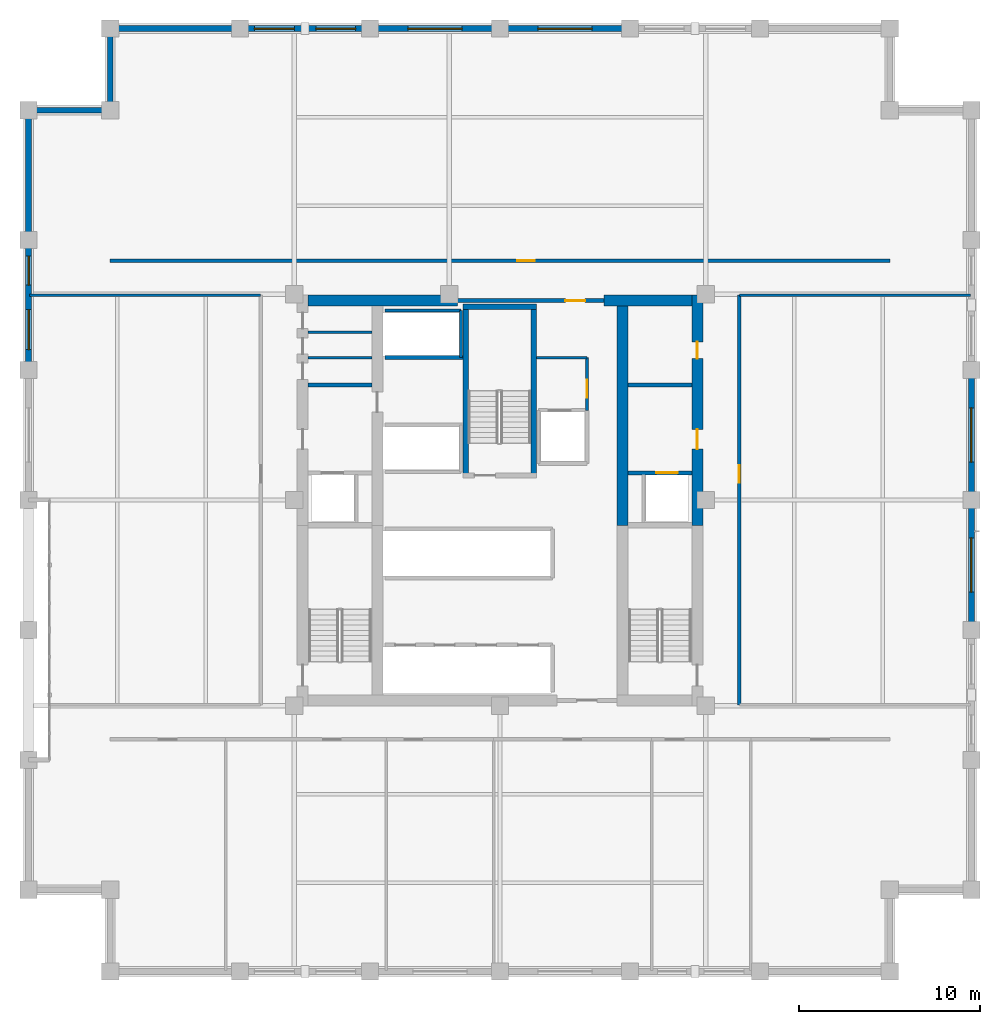
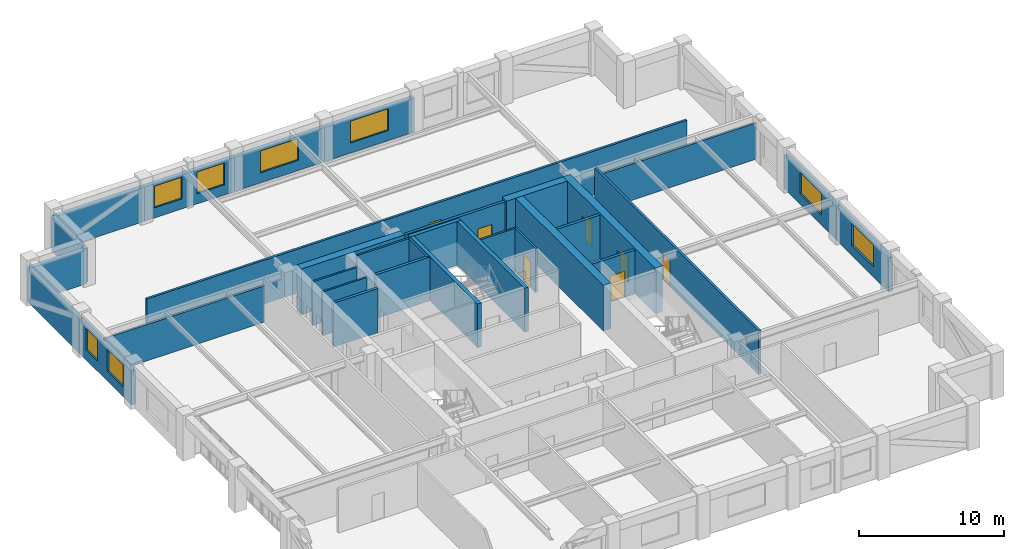
# One storey, part 9 of 12: 32 walls, 8 windows, 7 doors, 15 openings.
"""IFC4 building model written with IfcOpenShell, lengths in metres."""

from ifc_helpers import new_model, si_unit, direction, frame, frame_2d, origin, place, context, subcontext, project, spatial, rectangle, extrude, material, layer, layer_set, type_object, element, fill, save


model = new_model("IFC4")

# Units and contexts
model_context = context("Model", 3, precision=1e-05, world=origin(), true_north=direction((0.0, 1.0)))
body_context = subcontext(model_context, "Body", "Model", "MODEL_VIEW")
ifc_project = project(units=[si_unit("LENGTHUNIT", "METRE"), si_unit("AREAUNIT", "SQUARE_METRE"), si_unit("VOLUMEUNIT", "CUBIC_METRE"), si_unit("PLANEANGLEUNIT", "RADIAN"), si_unit("MASSUNIT", "GRAM", prefix="KILO")], contexts=[model_context])

# Site, building, storey
site_placement = place(None, origin())
site = spatial("IfcSite", under=ifc_project, at=site_placement, CompositionType="ELEMENT")
building_placement = place(site_placement, origin())
building = spatial("IfcBuilding", under=site, at=building_placement, Name="Nhamokura Convention Tower", CompositionType="ELEMENT")
storey_placement = place(building_placement, frame((0.0, 0.0, 164.5)))
storey = spatial("IfcBuildingStorey", under=building, at=storey_placement, Name="L40", CompositionType="ELEMENT", Elevation=164.5)

# Walls
ifc_material_1 = material(Name="Moisture-resistant tile-backer partition", Category="masonry")
ifc_layer_1 = layer(ifc_material_1, 0.139892578125)
ifc_layer_set_1 = layer_set([ifc_layer_1], Name="BathroomWetWall_140")
wall_type_1 = type_object("IfcWallType", Name="BathroomWetWall_140", PredefinedType="STANDARD", material=ifc_layer_set_1)
wall_1_placement = place(storey_placement, frame((21.409912109375, 39.85009765625, 0.0), z_axis=(0.0, 0.0, 1.0), x_axis=(1.0, 0.0, 0.0)))
element("IfcWall", 1, at=wall_1_placement, inside=storey, type_object=wall_type_1, Name="L40 Wall INT-L40-CWNW1", PredefinedType="STANDARD", context=body_context, shape_type="SweptSolid", body=[
    extrude(rectangle(XDim=3.530029296875, YDim=0.139892578125, at=frame_2d((1.76513671875, 0.0))), origin(), (0.0, 0.0, 1.0), 3.68505859375),
])
ifc_material_2 = material(Name="Bronze-pigmented precast concrete C45/55", Category="concrete")
ifc_layer_2 = layer(ifc_material_2, 0.320068359375)
ifc_layer_set_2 = layer_set([ifc_layer_2], Name="BronzePrecastSpandrel_320")
wall_type_2 = type_object("IfcWallType", Name="BronzePrecastSpandrel_320", PredefinedType="USERDEFINED", material=ifc_layer_set_2)
wall_2_placement = place(storey_placement, frame((10.5, 58.0, 0.0), z_axis=(0.0, 0.0, 1.0), x_axis=(1.0, 0.0, 0.0)))
element("IfcWall", 2, at=wall_2_placement, inside=storey, type_object=wall_type_2, Name="L40 Braced-Bay Precast Wall NORTH 0", ObjectType="SPANDREL_WALL", PredefinedType="USERDEFINED", context=body_context, shape_type="SweptSolid", body=[
    extrude(rectangle(XDim=7.166748046875, YDim=0.320068359375, at=frame_2d((3.58349609375, 0.0))), origin(), (0.0, 0.0, 1.0), 2.885009765625),
])

# Wall, openings, windows
wall_3_placement = place(storey_placement, frame((17.666748046875, 58.0, 0.0), z_axis=(0.0, 0.0, 1.0), x_axis=(1.0, 0.0, 0.0)))
wall_3 = element("IfcWall", 3, at=wall_3_placement, inside=storey, type_object=wall_type_2, Name="L40 Masonry-Frame Wall NORTH 1", ObjectType="SPANDREL_WALL", PredefinedType="USERDEFINED", context=body_context, shape_type="SweptSolid", body=[
    extrude(rectangle(XDim=7.16650390625, YDim=0.320068359375, at=frame_2d((3.583251953125, 0.0))), origin(), (0.0, 0.0, 1.0), 2.885009765625),
])
opening_1_placement = place(wall_3_placement, frame((0.791748046875, 0.0, 0.85009765625)))
opening_1 = element("IfcOpeningElement", 4, at=opening_1_placement, cuts=wall_3, Name="Opening W-06", PredefinedType="OPENING", context=body_context, shape_type="SweptSolid", body=[
    extrude(rectangle(XDim=2.199951171875, YDim=1.8349609375, at=frame_2d((1.10009765625, 0.91748046875))), frame((0.0, 0.169921875, 0.0), z_axis=(0.0, -1.0, 0.0), x_axis=(1.0, 0.0, 0.0)), (0.0, 0.0, 1.0), 0.340087890625),
])
opening_2_placement = place(wall_3_placement, frame((4.175048828125, 0.0, 0.85009765625)))
opening_2 = element("IfcOpeningElement", 5, at=opening_2_placement, cuts=wall_3, Name="Opening W-06", PredefinedType="OPENING", context=body_context, shape_type="SweptSolid", body=[
    extrude(rectangle(XDim=2.199951171875, YDim=1.8349609375, at=frame_2d((1.10009765625, 0.91748046875))), frame((0.0, 0.169921875, 0.0), z_axis=(0.0, -1.0, 0.0), x_axis=(1.0, 0.0, 0.0)), (0.0, 0.0, 1.0), 0.340087890625),
])
ifc_material_3 = material(Name="Solar-control bronze low-E double glass", Category="glass")
window_type_1 = type_object("IfcWindowType", Name="OfficeModuleWindow_Z2_2200", PartitioningType="SINGLE_PANEL", PredefinedType="WINDOW", material=ifc_material_3)
window_1_placement = place(opening_1_placement, origin())
window_1 = element("IfcWindow", 6, at=window_1_placement, inside=storey, type_object=window_type_1, Name="L40 Facade Window NORTH 1-1", OverallHeight=1.8349609375, OverallWidth=2.199951171875, PartitioningType="SINGLE_PANEL", PredefinedType="WINDOW", context=body_context, shape_type="SweptSolid", body=[
    extrude(rectangle(XDim=2.199951171875, YDim=1.8349609375, at=frame_2d((1.10009765625, 0.91748046875))), frame((0.0, 0.030029296875, 0.0), z_axis=(0.0, -1.0, 0.0), x_axis=(1.0, 0.0, 0.0)), (0.0, 0.0, 1.0), 0.06005859375),
])
fill(opening_1, window_1)
window_2_placement = place(opening_2_placement, origin())
window_2 = element("IfcWindow", 7, at=window_2_placement, inside=storey, type_object=window_type_1, Name="L40 Facade Window NORTH 1-2", OverallHeight=1.8349609375, OverallWidth=2.199951171875, PartitioningType="SINGLE_PANEL", PredefinedType="WINDOW", context=body_context, shape_type="SweptSolid", body=[
    extrude(rectangle(XDim=2.199951171875, YDim=1.8349609375, at=frame_2d((1.10009765625, 0.91748046875))), frame((0.0, 0.030029296875, 0.0), z_axis=(0.0, -1.0, 0.0), x_axis=(1.0, 0.0, 0.0)), (0.0, 0.0, 1.0), 0.06005859375),
])
fill(opening_2, window_2)

# Wall, opening, window
wall_4_placement = place(storey_placement, frame((24.833251953125, 58.0, 0.0), z_axis=(0.0, 0.0, 1.0), x_axis=(1.0, 0.0, 0.0)))
wall_4 = element("IfcWall", 8, at=wall_4_placement, inside=storey, type_object=wall_type_2, Name="L40 Masonry-Frame Wall NORTH 2", ObjectType="SPANDREL_WALL", PredefinedType="USERDEFINED", context=body_context, shape_type="SweptSolid", body=[
    extrude(rectangle(XDim=7.166748046875, YDim=0.320068359375, at=frame_2d((3.58349609375, 0.0))), origin(), (0.0, 0.0, 1.0), 2.885009765625),
])
opening_3_placement = place(wall_4_placement, frame((2.083251953125, 0.0, 0.85009765625)))
opening_3 = element("IfcOpeningElement", 9, at=opening_3_placement, cuts=wall_4, Name="Opening W-05", PredefinedType="OPENING", context=body_context, shape_type="SweptSolid", body=[
    extrude(rectangle(XDim=3.0, YDim=1.8349609375, at=frame_2d((1.5, 0.91748046875))), frame((0.0, 0.169921875, 0.0), z_axis=(0.0, -1.0, 0.0), x_axis=(1.0, 0.0, 0.0)), (0.0, 0.0, 1.0), 0.340087890625),
])
ifc_material_4 = material(Name="Solar-control bronze low-E double glass", Category="glass")
window_type_2 = type_object("IfcWindowType", Name="OfficeModuleWindow_Z2_3000", PartitioningType="DOUBLE_PANEL_VERTICAL", PredefinedType="WINDOW", material=ifc_material_4)
window_3_placement = place(opening_3_placement, origin())
window_3 = element("IfcWindow", 10, at=window_3_placement, inside=storey, type_object=window_type_2, Name="L40 Facade Window NORTH 2", OverallHeight=1.8349609375, OverallWidth=3.0, PartitioningType="SINGLE_PANEL", PredefinedType="WINDOW", context=body_context, shape_type="SweptSolid", body=[
    extrude(rectangle(XDim=3.0, YDim=1.8349609375, at=frame_2d((1.5, 0.91748046875))), frame((0.0, 0.030029296875, 0.0), z_axis=(0.0, -1.0, 0.0), x_axis=(1.0, 0.0, 0.0)), (0.0, 0.0, 1.0), 0.06005859375),
])
fill(opening_3, window_3)

wall_5_placement = place(storey_placement, frame((32.0, 58.0, 0.0), z_axis=(0.0, 0.0, 1.0), x_axis=(1.0, 0.0, 0.0)))
wall_5 = element("IfcWall", 11, at=wall_5_placement, inside=storey, type_object=wall_type_2, Name="L40 Masonry-Frame Wall NORTH 3", ObjectType="SPANDREL_WALL", PredefinedType="USERDEFINED", context=body_context, shape_type="SweptSolid", body=[
    extrude(rectangle(XDim=7.166748046875, YDim=0.320068359375, at=frame_2d((3.58349609375, 0.0))), origin(), (0.0, 0.0, 1.0), 2.885009765625),
])
opening_4_placement = place(wall_5_placement, frame((2.083251953125, 0.0, 0.85009765625)))
opening_4 = element("IfcOpeningElement", 12, at=opening_4_placement, cuts=wall_5, Name="Opening W-05", PredefinedType="OPENING", context=body_context, shape_type="SweptSolid", body=[
    extrude(rectangle(XDim=3.0, YDim=1.8349609375, at=frame_2d((1.5, 0.91748046875))), frame((0.0, 0.169921875, 0.0), z_axis=(0.0, -1.0, 0.0), x_axis=(1.0, 0.0, 0.0)), (0.0, 0.0, 1.0), 0.340087890625),
])
window_4_placement = place(opening_4_placement, origin())
window_4 = element("IfcWindow", 13, at=window_4_placement, inside=storey, type_object=window_type_2, Name="L40 Facade Window NORTH 3", OverallHeight=1.8349609375, OverallWidth=3.0, PartitioningType="SINGLE_PANEL", PredefinedType="WINDOW", context=body_context, shape_type="SweptSolid", body=[
    extrude(rectangle(XDim=3.0, YDim=1.8349609375, at=frame_2d((1.5, 0.91748046875))), frame((0.0, 0.030029296875, 0.0), z_axis=(0.0, -1.0, 0.0), x_axis=(1.0, 0.0, 0.0)), (0.0, 0.0, 1.0), 0.06005859375),
])
fill(opening_4, window_4)

# Wall, openings, windows
wall_6_placement = place(storey_placement, frame((6.0, 39.166748046875, 0.0), z_axis=(0.0, 0.0, 1.0), x_axis=(0.0, 1.0, 0.0)))
wall_6 = element("IfcWall", 14, at=wall_6_placement, inside=storey, type_object=wall_type_2, Name="L40 Masonry-Frame Wall WEST 4", ObjectType="SPANDREL_WALL", PredefinedType="USERDEFINED", context=body_context, shape_type="SweptSolid", body=[
    extrude(rectangle(XDim=7.16650390625, YDim=0.320068359375, at=frame_2d((3.583251953125, 0.0))), origin(), (0.0, 0.0, 1.0), 2.885009765625),
])
opening_5_placement = place(wall_6_placement, frame((1.129150390625, 0.0, 0.85009765625)))
opening_5 = element("IfcOpeningElement", 15, at=opening_5_placement, cuts=wall_6, Name="Opening W-06", PredefinedType="OPENING", context=body_context, shape_type="SweptSolid", body=[
    extrude(rectangle(XDim=2.199951171875, YDim=1.8349609375, at=frame_2d((1.10009765625, 0.91748046875))), frame((0.0, 0.169921875, 0.0), z_axis=(0.0, -1.0, 0.0), x_axis=(1.0, 0.0, 0.0)), (0.0, 0.0, 1.0), 0.340087890625),
])
opening_6_placement = place(wall_6_placement, frame((4.6875, 0.0, 0.85009765625)))
opening_6 = element("IfcOpeningElement", 16, at=opening_6_placement, cuts=wall_6, Name="Opening W-11", PredefinedType="OPENING", context=body_context, shape_type="SweptSolid", body=[
    extrude(rectangle(XDim=1.60009765625, YDim=1.8349609375, at=frame_2d((0.800048828125, 0.91748046875))), frame((0.0, 0.169921875, 0.0), z_axis=(0.0, -1.0, 0.0), x_axis=(1.0, 0.0, 0.0)), (0.0, 0.0, 1.0), 0.340087890625),
])
ifc_material_5 = material(Name="Solar-control bronze low-E double glass", Category="glass")
window_type_3 = type_object("IfcWindowType", Name="NotchCornerWindow_1600", PartitioningType="SINGLE_PANEL", PredefinedType="WINDOW", material=ifc_material_5)
window_5_placement = place(opening_6_placement, origin())
window_5 = element("IfcWindow", 17, at=window_5_placement, inside=storey, type_object=window_type_3, Name="L40 Facade Window WEST 4-2", OverallHeight=1.8349609375, OverallWidth=1.60009765625, PartitioningType="SINGLE_PANEL", PredefinedType="WINDOW", context=body_context, shape_type="SweptSolid", body=[
    extrude(rectangle(XDim=1.60009765625, YDim=1.8349609375, at=frame_2d((0.800048828125, 0.91748046875))), frame((0.0, 0.030029296875, 0.0), z_axis=(0.0, -1.0, 0.0), x_axis=(1.0, 0.0, 0.0)), (0.0, 0.0, 1.0), 0.06005859375),
])
fill(opening_6, window_5)
window_6_placement = place(opening_5_placement, origin())
window_6 = element("IfcWindow", 18, at=window_6_placement, inside=storey, type_object=window_type_1, Name="L40 Facade Window WEST 4-1", OverallHeight=1.8349609375, OverallWidth=2.199951171875, PartitioningType="SINGLE_PANEL", PredefinedType="WINDOW", context=body_context, shape_type="SweptSolid", body=[
    extrude(rectangle(XDim=2.199951171875, YDim=1.8349609375, at=frame_2d((1.10009765625, 0.91748046875))), frame((0.0, 0.030029296875, 0.0), z_axis=(0.0, -1.0, 0.0), x_axis=(1.0, 0.0, 0.0)), (0.0, 0.0, 1.0), 0.06005859375),
])
fill(opening_5, window_6)

# Wall
wall_7_placement = place(storey_placement, frame((6.0, 46.333251953125, 0.0), z_axis=(0.0, 0.0, 1.0), x_axis=(0.0, 1.0, 0.0)))
element("IfcWall", 19, at=wall_7_placement, inside=storey, type_object=wall_type_2, Name="L40 Braced-Bay Precast Wall WEST 5", ObjectType="SPANDREL_WALL", PredefinedType="USERDEFINED", context=body_context, shape_type="SweptSolid", body=[
    extrude(rectangle(XDim=7.166748046875, YDim=0.320068359375, at=frame_2d((3.58349609375, 0.0))), origin(), (0.0, 0.0, 1.0), 2.885009765625),
])

# Wall, opening, window
wall_8_placement = place(storey_placement, frame((58.0, 32.0, 0.0), z_axis=(0.0, 0.0, 1.0), x_axis=(0.0, -1.0, 0.0)))
wall_8 = element("IfcWall", 20, at=wall_8_placement, inside=storey, type_object=wall_type_2, Name="L40 Masonry-Frame Wall EAST 2", ObjectType="SPANDREL_WALL", PredefinedType="USERDEFINED", context=body_context, shape_type="SweptSolid", body=[
    extrude(rectangle(XDim=7.166748046875, YDim=0.320068359375, at=frame_2d((3.58349609375, 0.0))), origin(), (0.0, 0.0, 1.0), 2.885009765625),
])
opening_7_placement = place(wall_8_placement, frame((2.083251953125, 0.0, 0.85009765625)))
opening_7 = element("IfcOpeningElement", 21, at=opening_7_placement, cuts=wall_8, Name="Opening W-05", PredefinedType="OPENING", context=body_context, shape_type="SweptSolid", body=[
    extrude(rectangle(XDim=3.0, YDim=1.8349609375, at=frame_2d((1.5, 0.91748046875))), frame((0.0, 0.169921875, 0.0), z_axis=(0.0, -1.0, 0.0), x_axis=(1.0, 0.0, 0.0)), (0.0, 0.0, 1.0), 0.340087890625),
])
window_7_placement = place(opening_7_placement, origin())
window_7 = element("IfcWindow", 22, at=window_7_placement, inside=storey, type_object=window_type_2, Name="L40 Facade Window EAST 2", OverallHeight=1.8349609375, OverallWidth=3.0, PartitioningType="SINGLE_PANEL", PredefinedType="WINDOW", context=body_context, shape_type="SweptSolid", body=[
    extrude(rectangle(XDim=3.0, YDim=1.8349609375, at=frame_2d((1.5, 0.91748046875))), frame((0.0, 0.030029296875, 0.0), z_axis=(0.0, -1.0, 0.0), x_axis=(1.0, 0.0, 0.0)), (0.0, 0.0, 1.0), 0.06005859375),
])
fill(opening_7, window_7)

wall_9_placement = place(storey_placement, frame((58.0, 39.166748046875, 0.0), z_axis=(0.0, 0.0, 1.0), x_axis=(0.0, -1.0, 0.0)))
wall_9 = element("IfcWall", 23, at=wall_9_placement, inside=storey, type_object=wall_type_2, Name="L40 Masonry-Frame Wall EAST 3", ObjectType="SPANDREL_WALL", PredefinedType="USERDEFINED", context=body_context, shape_type="SweptSolid", body=[
    extrude(rectangle(XDim=7.166748046875, YDim=0.320068359375, at=frame_2d((3.58349609375, 0.0))), origin(), (0.0, 0.0, 1.0), 2.885009765625),
])
opening_8_placement = place(wall_9_placement, frame((2.083251953125, 0.0, 0.85009765625)))
opening_8 = element("IfcOpeningElement", 24, at=opening_8_placement, cuts=wall_9, Name="Opening W-05", PredefinedType="OPENING", context=body_context, shape_type="SweptSolid", body=[
    extrude(rectangle(XDim=3.0, YDim=1.8349609375, at=frame_2d((1.5, 0.91748046875))), frame((0.0, 0.169921875, 0.0), z_axis=(0.0, -1.0, 0.0), x_axis=(1.0, 0.0, 0.0)), (0.0, 0.0, 1.0), 0.340087890625),
])
window_8_placement = place(opening_8_placement, origin())
window_8 = element("IfcWindow", 25, at=window_8_placement, inside=storey, type_object=window_type_2, Name="L40 Facade Window EAST 3", OverallHeight=1.8349609375, OverallWidth=3.0, PartitioningType="SINGLE_PANEL", PredefinedType="WINDOW", context=body_context, shape_type="SweptSolid", body=[
    extrude(rectangle(XDim=3.0, YDim=1.8349609375, at=frame_2d((1.5, 0.91748046875))), frame((0.0, 0.030029296875, 0.0), z_axis=(0.0, -1.0, 0.0), x_axis=(1.0, 0.0, 0.0)), (0.0, 0.0, 1.0), 0.06005859375),
])
fill(opening_8, window_8)

# Walls
for number, where, z_axis, x_axis, name in (
    (26, (10.5, 53.5, 0.0), (0.0, 0.0, 1.0), (0.0, 1.0, 0.0), "L40 Notched Corner Wall NW1"),
    (27, (6.0, 53.5, 0.0), (0.0, 0.0, 1.0), (1.0, 0.0, 0.0), "L40 Notched Corner Wall NW2"),
):
    element("IfcWall", number, at=place(storey_placement, frame(where, z_axis=z_axis, x_axis=x_axis)), inside=storey, type_object=wall_type_2, Name=name, ObjectType="SPANDREL_WALL", PredefinedType="USERDEFINED", context=body_context, shape_type="SweptSolid", body=[
        extrude(rectangle(XDim=4.5, YDim=0.320068359375, at=frame_2d((2.25, 0.0))), origin(), (0.0, 0.0, 1.0), 2.885009765625),
    ])

# Wall, openings, doors
ifc_material_6 = material(Name="Concrete C60/75", Category="concrete")
ifc_layer_3 = layer(ifc_material_6, 0.60009765625)
ifc_layer_set_3 = layer_set([ifc_layer_3], Name="CoreShearWall_600")
wall_type_3 = type_object("IfcWallType", Name="CoreShearWall_600", PredefinedType="SHEAR", material=ifc_layer_set_3)
wall_10_placement = place(storey_placement, frame((42.889892578125, 30.60009765625, 0.0), z_axis=(0.0, 0.0, 1.0), x_axis=(0.0, 1.0, 0.0)))
wall_10 = element("IfcWall", 28, at=wall_10_placement, inside=storey, type_object=wall_type_3, Name="L40 Core Shear Wall CW-EN", PredefinedType="SHEAR", context=body_context, shape_type="SweptSolid", body=[
    extrude(rectangle(XDim=12.699951171875, YDim=0.60009765625, at=frame_2d((6.35009765625, 0.0))), origin(), (0.0, 0.0, 1.0), 3.85009765625),
])
opening_9_placement = place(wall_10_placement, frame((4.199951171875, 0.0, 0.0)))
opening_9 = element("IfcOpeningElement", 29, at=opening_9_placement, cuts=wall_10, Name="Opening D-05", PredefinedType="OPENING", context=body_context, shape_type="SweptSolid", body=[
    extrude(rectangle(XDim=1.10009765625, YDim=2.14990234375, at=frame_2d((0.550048828125, 1.074951171875))), frame((0.0, 0.31005859375, 0.0), z_axis=(0.0, -1.0, 0.0), x_axis=(1.0, 0.0, 0.0)), (0.0, 0.0, 1.0), 0.6201171875),
])
opening_10_placement = place(wall_10_placement, frame((9.199951171875, 0.0, 0.0)))
opening_10 = element("IfcOpeningElement", 30, at=opening_10_placement, cuts=wall_10, Name="Opening D-10", PredefinedType="OPENING", context=body_context, shape_type="SweptSolid", body=[
    extrude(rectangle(XDim=0.919921875, YDim=2.10009765625, at=frame_2d((0.4599609375, 1.050048828125))), frame((0.0, 0.31005859375, 0.0), z_axis=(0.0, -1.0, 0.0), x_axis=(1.0, 0.0, 0.0)), (0.0, 0.0, 1.0), 0.6201171875),
])
ifc_material_7 = material(Name="Solid oak hardwood", Category="wood")
door_type_1 = type_object("IfcDoorType", Name="AccessibleWCDoor_920", OperationType="NOTDEFINED", PredefinedType="DOOR", material=ifc_material_7)
door_1_placement = place(opening_10_placement, origin())
door_1 = element("IfcDoor", 31, at=door_1_placement, inside=storey, type_object=door_type_1, Name="L40 Core Door INT-L40-D-UWC", OperationType="SINGLE_SWING_RIGHT", OverallHeight=2.10009765625, OverallWidth=0.919921875, PredefinedType="DOOR", context=body_context, shape_type="SweptSolid", body=[
    extrude(rectangle(XDim=0.919921875, YDim=2.10009765625, at=frame_2d((0.4599609375, 1.050048828125))), frame((0.0, 0.02490234375, 0.0), z_axis=(0.0, -1.0, 0.0), x_axis=(1.0, 0.0, 0.0)), (0.0, 0.0, 1.0), 0.050048828125),
])
fill(opening_10, door_1)
ifc_material_8 = material(Name="Fire-rated steel door", Category="steel")
door_type_2 = type_object("IfcDoorType", Name="FireLobbyDoor_1100", OperationType="NOTDEFINED", PredefinedType="DOOR", material=ifc_material_8)
door_2_placement = place(opening_9_placement, origin())
door_2 = element("IfcDoor", 32, at=door_2_placement, inside=storey, type_object=door_type_2, Name="L40 Core Door INT-L40-D-FFLE", OperationType="SINGLE_SWING_LEFT", OverallHeight=2.14990234375, OverallWidth=1.10009765625, PredefinedType="DOOR", context=body_context, shape_type="SweptSolid", body=[
    extrude(rectangle(XDim=1.10009765625, YDim=2.14990234375, at=frame_2d((0.550048828125, 1.074951171875))), frame((0.0, 0.02490234375, 0.0), z_axis=(0.0, -1.0, 0.0), x_axis=(1.0, 0.0, 0.0)), (0.0, 0.0, 1.0), 0.050048828125),
])
fill(opening_9, door_2)

# Walls
wall_11_placement = place(storey_placement, frame((21.409912109375, 43.0, 0.0), z_axis=(0.0, 0.0, 1.0), x_axis=(1.0, 0.0, 0.0)))
element("IfcWall", 33, at=wall_11_placement, inside=storey, type_object=wall_type_3, Name="L40 Core Shear Wall CW-N1", PredefinedType="SHEAR", context=body_context, shape_type="SweptSolid", body=[
    extrude(rectangle(XDim=8.239990234375, YDim=0.60009765625, at=frame_2d((4.1201171875, 0.0))), origin(), (0.0, 0.0, 1.0), 3.85009765625),
])
wall_12_placement = place(storey_placement, frame((37.75, 43.0, 0.0), z_axis=(0.0, 0.0, 1.0), x_axis=(1.0, 0.0, 0.0)))
element("IfcWall", 34, at=wall_12_placement, inside=storey, type_object=wall_type_3, Name="L40 Core Shear Wall CW-N2", PredefinedType="SHEAR", context=body_context, shape_type="SweptSolid", body=[
    extrude(rectangle(XDim=4.840087890625, YDim=0.60009765625, at=frame_2d((2.419921875, 0.0))), origin(), (0.0, 0.0, 1.0), 3.85009765625),
])
wall_13_placement = place(storey_placement, frame((38.760009765625, 30.60009765625, 0.0), z_axis=(0.0, 0.0, 1.0), x_axis=(0.0, 1.0, 0.0)))
element("IfcWall", 35, at=wall_13_placement, inside=storey, type_object=wall_type_3, Name="L40 Core Shear Wall CW-IEN", PredefinedType="SHEAR", context=body_context, shape_type="SweptSolid", body=[
    extrude(rectangle(XDim=12.099853515625, YDim=0.60009765625, at=frame_2d((6.0498046875, 0.0))), origin(), (0.0, 0.0, 1.0), 3.85009765625),
])

# Wall, opening, door
ifc_material_9 = material(Name="Fire-rated gypsum and masonry partition", Category="masonry")
ifc_layer_4 = layer(ifc_material_9, 0.179931640625)
ifc_layer_set_4 = layer_set([ifc_layer_4], Name="CorridorRatedWall_180")
wall_type_4 = type_object("IfcWallType", Name="CorridorRatedWall_180", PredefinedType="STANDARD", material=ifc_layer_set_4)
wall_14_placement = place(storey_placement, frame((10.5, 45.199951171875, 0.0), z_axis=(0.0, 0.0, 1.0), x_axis=(1.0, 0.0, 0.0)))
wall_14 = element("IfcWall", 36, at=wall_14_placement, inside=storey, type_object=wall_type_4, Name="L40 Wall INT-L40-CW-N00", PredefinedType="STANDARD", context=body_context, shape_type="SweptSolid", body=[
    extrude(rectangle(XDim=43.0, YDim=0.179931640625, at=frame_2d((21.5, 0.0))), origin(), (0.0, 0.0, 1.0), 3.68505859375),
])
opening_11_placement = place(wall_14_placement, frame((22.449951171875, 0.0, 0.0)))
opening_11 = element("IfcOpeningElement", 37, at=opening_11_placement, cuts=wall_14, Name="Opening D-08", PredefinedType="OPENING", context=body_context, shape_type="SweptSolid", body=[
    extrude(rectangle(XDim=0.97998046875, YDim=2.199951171875, at=frame_2d((0.489990234375, 1.10009765625))), frame((0.0, 0.099853515625, 0.0), z_axis=(0.0, -1.0, 0.0), x_axis=(1.0, 0.0, 0.0)), (0.0, 0.0, 1.0), 0.199951171875),
])
ifc_material_10 = material(Name="Solid oak hardwood", Category="wood")
door_type_3 = type_object("IfcDoorType", Name="OfficeEntryDoor_980", OperationType="NOTDEFINED", PredefinedType="DOOR", material=ifc_material_10)
door_3_placement = place(opening_11_placement, origin())
door_3 = element("IfcDoor", 38, at=door_3_placement, inside=storey, type_object=door_type_3, Name="L40 Press Briefing Hall N01 Door", OperationType="SINGLE_SWING_LEFT", OverallHeight=2.199951171875, OverallWidth=0.97998046875, PredefinedType="DOOR", context=body_context, shape_type="SweptSolid", body=[
    extrude(rectangle(XDim=0.97998046875, YDim=2.199951171875, at=frame_2d((0.489990234375, 1.10009765625))), frame((0.0, 0.02490234375, 0.0), z_axis=(0.0, -1.0, 0.0), x_axis=(1.0, 0.0, 0.0)), (0.0, 0.0, 1.0), 0.050048828125),
])
fill(opening_11, door_3)

wall_15_placement = place(storey_placement, frame((45.199951171875, 20.699951171875, 0.0), z_axis=(0.0, 0.0, 1.0), x_axis=(0.0, 1.0, 0.0)))
wall_15 = element("IfcWall", 39, at=wall_15_placement, inside=storey, type_object=wall_type_4, Name="L40 Wall INT-L40-CW-E00", PredefinedType="STANDARD", context=body_context, shape_type="SweptSolid", body=[
    extrude(rectangle(XDim=22.60009765625, YDim=0.179931640625, at=frame_2d((11.300048828125, 0.0))), origin(), (0.0, 0.0, 1.0), 3.68505859375),
])
opening_12_placement = place(wall_15_placement, frame((12.25, 0.0, 0.0)))
opening_12 = element("IfcOpeningElement", 40, at=opening_12_placement, cuts=wall_15, Name="Opening D-08", PredefinedType="OPENING", context=body_context, shape_type="SweptSolid", body=[
    extrude(rectangle(XDim=0.97998046875, YDim=2.199951171875, at=frame_2d((0.489990234375, 1.10009765625))), frame((0.0, 0.099853515625, 0.0), z_axis=(0.0, -1.0, 0.0), x_axis=(1.0, 0.0, 0.0)), (0.0, 0.0, 1.0), 0.199951171875),
])
door_4_placement = place(opening_12_placement, origin())
door_4 = element("IfcDoor", 41, at=door_4_placement, inside=storey, type_object=door_type_3, Name="L40 Meeting Room E01 Door", OperationType="SINGLE_SWING_LEFT", OverallHeight=2.199951171875, OverallWidth=0.97998046875, PredefinedType="DOOR", context=body_context, shape_type="SweptSolid", body=[
    extrude(rectangle(XDim=0.97998046875, YDim=2.199951171875, at=frame_2d((0.489990234375, 1.10009765625))), frame((0.0, 0.02490234375, 0.0), z_axis=(0.0, -1.0, 0.0), x_axis=(1.0, 0.0, 0.0)), (0.0, 0.0, 1.0), 0.050048828125),
])
fill(opening_12, door_4)

ifc_material_11 = material(Name="Autoclaved concrete blockwork", Category="masonry")
ifc_layer_5 = layer(ifc_material_11, 0.219970703125)
ifc_layer_set_5 = layer_set([ifc_layer_5], Name="FireLobbyWall_220")
wall_type_5 = type_object("IfcWallType", Name="FireLobbyWall_220", PredefinedType="STANDARD", material=ifc_layer_set_5)
wall_16_placement = place(storey_placement, frame((39.06005859375, 33.5, 0.0), z_axis=(0.0, 0.0, 1.0), x_axis=(1.0, 0.0, 0.0)))
wall_16 = element("IfcWall", 42, at=wall_16_placement, inside=storey, type_object=wall_type_5, Name="L40 Wall INT-L40-FFE-S", PredefinedType="STANDARD", context=body_context, shape_type="SweptSolid", body=[
    extrude(rectangle(XDim=3.530029296875, YDim=0.219970703125, at=frame_2d((1.76513671875, 0.0))), origin(), (0.0, 0.0, 1.0), 3.68505859375),
])
opening_13_placement = place(wall_16_placement, frame((1.550048828125, 0.0, 0.0)))
opening_13 = element("IfcOpeningElement", 43, at=opening_13_placement, cuts=wall_16, Name="Opening LD-02", PredefinedType="OPENING", context=body_context, shape_type="SweptSolid", body=[
    extrude(rectangle(XDim=1.199951171875, YDim=2.199951171875, at=frame_2d((0.60009765625, 1.10009765625))), frame((0.0, 0.119873046875, 0.0), z_axis=(0.0, -1.0, 0.0), x_axis=(1.0, 0.0, 0.0)), (0.0, 0.0, 1.0), 0.239990234375),
])
ifc_material_12 = material(Name="Anodised bronze stainless steel", Category="steel")
door_type_4 = type_object("IfcDoorType", Name="LiftLandingDoor_FireService", OperationType="DOUBLE_DOOR_SLIDING", PredefinedType="DOOR", material=ifc_material_12)
door_5_placement = place(opening_13_placement, origin())
door_5 = element("IfcDoor", 44, at=door_5_placement, inside=storey, type_object=door_type_4, Name="L40 Firefighting Lift LF-02 Door", OperationType="DOUBLE_DOOR_SLIDING", OverallHeight=2.199951171875, OverallWidth=1.199951171875, PredefinedType="DOOR", context=body_context, shape_type="SweptSolid", body=[
    extrude(rectangle(XDim=1.199951171875, YDim=2.199951171875, at=frame_2d((0.60009765625, 1.10009765625))), frame((0.0, 0.02490234375, 0.0), z_axis=(0.0, -1.0, 0.0), x_axis=(1.0, 0.0, 0.0)), (0.0, 0.0, 1.0), 0.050048828125),
])
fill(opening_13, door_5)

# Walls
for number, where, z_axis, x_axis, name in (
    (45, (21.409912109375, 38.35009765625, 0.0), (0.0, 0.0, 1.0), (1.0, 0.0, 0.0), "L40 Wall INT-L40-FFW-N"),
    (46, (39.06005859375, 38.35009765625, 0.0), (0.0, 0.0, 1.0), (1.0, 0.0, 0.0), "L40 Wall INT-L40-FFE-N"),
):
    element("IfcWall", number, at=place(storey_placement, frame(where, z_axis=z_axis, x_axis=x_axis)), inside=storey, type_object=wall_type_5, Name=name, PredefinedType="STANDARD", context=body_context, shape_type="SweptSolid", body=[
        extrude(rectangle(XDim=3.530029296875, YDim=0.219970703125, at=frame_2d((1.76513671875, 0.0))), origin(), (0.0, 0.0, 1.0), 3.68505859375),
    ])
wall_17_placement = place(storey_placement, frame((25.64990234375, 39.85009765625, 0.0), z_axis=(0.0, 0.0, 1.0), x_axis=(1.0, 0.0, 0.0)))
element("IfcWall", 47, at=wall_17_placement, inside=storey, type_object=wall_type_5, Name="L40 Wall INT-L40-B3N", PredefinedType="STANDARD", context=body_context, shape_type="SweptSolid", body=[
    extrude(rectangle(XDim=4.300048828125, YDim=0.219970703125, at=frame_2d((2.14990234375, 0.0))), origin(), (0.0, 0.0, 1.0), 3.68505859375),
])

# Wall, opening, door
wall_18_placement = place(storey_placement, frame((29.64990234375, 43.0, 0.0), z_axis=(0.0, 0.0, 1.0), x_axis=(1.0, 0.0, 0.0)))
wall_18 = element("IfcWall", 48, at=wall_18_placement, inside=storey, type_object=wall_type_5, Name="L40 Wall INT-L40-CPORT-N", PredefinedType="STANDARD", context=body_context, shape_type="SweptSolid", body=[
    extrude(rectangle(XDim=8.10009765625, YDim=0.219970703125, at=frame_2d((4.050048828125, 0.0))), origin(), (0.0, 0.0, 1.0), 3.68505859375),
])
opening_14_placement = place(wall_18_placement, frame((5.949951171875, 0.0, 0.0)))
opening_14 = element("IfcOpeningElement", 49, at=opening_14_placement, cuts=wall_18, Name="Opening D-05", PredefinedType="OPENING", context=body_context, shape_type="SweptSolid", body=[
    extrude(rectangle(XDim=1.10009765625, YDim=2.14990234375, at=frame_2d((0.550048828125, 1.074951171875))), frame((0.0, 0.119873046875, 0.0), z_axis=(0.0, -1.0, 0.0), x_axis=(1.0, 0.0, 0.0)), (0.0, 0.0, 1.0), 0.239990234375),
])
door_6_placement = place(opening_14_placement, origin())
door_6 = element("IfcDoor", 50, at=door_6_placement, inside=storey, type_object=door_type_2, Name="L40 North Core Lobby Portal Door", OperationType="SINGLE_SWING_RIGHT", OverallHeight=2.14990234375, OverallWidth=1.10009765625, PredefinedType="DOOR", context=body_context, shape_type="SweptSolid", body=[
    extrude(rectangle(XDim=1.10009765625, YDim=2.14990234375, at=frame_2d((0.550048828125, 1.074951171875))), frame((0.0, 0.02490234375, 0.0), z_axis=(0.0, -1.0, 0.0), x_axis=(1.0, 0.0, 0.0)), (0.0, 0.0, 1.0), 0.050048828125),
])
fill(opening_14, door_6)

# Walls
ifc_material_13 = material(Name="Acoustic gypsum stud partition", Category="masonry")
ifc_layer_6 = layer(ifc_material_13, 0.14990234375)
ifc_layer_set_6 = layer_set([ifc_layer_6], Name="InteriorPartition_150")
wall_type_6 = type_object("IfcWallType", Name="InteriorPartition_150", PredefinedType="STANDARD", material=ifc_layer_set_6)
wall_19_placement = place(storey_placement, frame((21.409912109375, 41.25, 0.0), z_axis=(0.0, 0.0, 1.0), x_axis=(1.0, 0.0, 0.0)))
element("IfcWall", 51, at=wall_19_placement, inside=storey, type_object=wall_type_6, Name="L40 Wall INT-L40-CWNW2", PredefinedType="STANDARD", context=body_context, shape_type="SweptSolid", body=[
    extrude(rectangle(XDim=3.530029296875, YDim=0.14990234375, at=frame_2d((1.76513671875, 0.0))), origin(), (0.0, 0.0, 1.0), 3.68505859375),
])
wall_20_placement = place(storey_placement, frame((34.0, 39.85009765625, 0.0), z_axis=(0.0, 0.0, 1.0), x_axis=(1.0, 0.0, 0.0)))
element("IfcWall", 52, at=wall_20_placement, inside=storey, type_object=wall_type_6, Name="L40 Wall INT-L40-NE-TELN", PredefinedType="STANDARD", context=body_context, shape_type="SweptSolid", body=[
    extrude(rectangle(XDim=2.800048828125, YDim=0.14990234375, at=frame_2d((1.39990234375, 0.0))), origin(), (0.0, 0.0, 1.0), 3.68505859375),
])

# Wall, opening, door
wall_21_placement = place(storey_placement, frame((36.800048828125, 36.949951171875, 0.0), z_axis=(0.0, 0.0, 1.0), x_axis=(0.0, 1.0, 0.0)))
wall_21 = element("IfcWall", 53, at=wall_21_placement, inside=storey, type_object=wall_type_6, Name="L40 Wall INT-L40-NE-TELE", PredefinedType="STANDARD", context=body_context, shape_type="SweptSolid", body=[
    extrude(rectangle(XDim=2.900146484375, YDim=0.14990234375, at=frame_2d((1.4501953125, 0.0))), origin(), (0.0, 0.0, 1.0), 3.68505859375),
])
opening_15_placement = place(wall_21_placement, frame((0.699951171875, 0.0, 0.0)))
opening_15 = element("IfcOpeningElement", 54, at=opening_15_placement, cuts=wall_21, Name="Opening D-08", PredefinedType="OPENING", context=body_context, shape_type="SweptSolid", body=[
    extrude(rectangle(XDim=0.97998046875, YDim=2.199951171875, at=frame_2d((0.489990234375, 1.10009765625))), frame((0.0, 0.0849609375, 0.0), z_axis=(0.0, -1.0, 0.0), x_axis=(1.0, 0.0, 0.0)), (0.0, 0.0, 1.0), 0.169921875),
])
door_7_placement = place(opening_15_placement, origin())
door_7 = element("IfcDoor", 55, at=door_7_placement, inside=storey, type_object=door_type_3, Name="L40 Core Telecom Door", OperationType="SINGLE_SWING_LEFT", OverallHeight=2.199951171875, OverallWidth=0.97998046875, PredefinedType="DOOR", context=body_context, shape_type="SweptSolid", body=[
    extrude(rectangle(XDim=0.97998046875, YDim=2.199951171875, at=frame_2d((0.489990234375, 1.10009765625))), frame((0.0, 0.02490234375, 0.0), z_axis=(0.0, -1.0, 0.0), x_axis=(1.0, 0.0, 0.0)), (0.0, 0.0, 1.0), 0.050048828125),
])
fill(opening_15, door_7)

# Walls
wall_22_placement = place(storey_placement, frame((25.64990234375, 42.449951171875, 0.0), z_axis=(0.0, 0.0, 1.0), x_axis=(1.0, 0.0, 0.0)))
element("IfcWall", 56, at=wall_22_placement, inside=storey, type_object=wall_type_6, Name="L40 Wall INT-L40-B3B-N", PredefinedType="STANDARD", context=body_context, shape_type="SweptSolid", body=[
    extrude(rectangle(XDim=4.2001953125, YDim=0.14990234375, at=frame_2d((2.10009765625, 0.0))), origin(), (0.0, 0.0, 1.0), 3.68505859375),
])
wall_23_placement = place(storey_placement, frame((29.85009765625, 39.85009765625, 0.0), z_axis=(0.0, 0.0, 1.0), x_axis=(0.0, 1.0, 0.0)))
element("IfcWall", 57, at=wall_23_placement, inside=storey, type_object=wall_type_6, Name="L40 Wall INT-L40-B3B-E", PredefinedType="STANDARD", context=body_context, shape_type="SweptSolid", body=[
    extrude(rectangle(XDim=2.599853515625, YDim=0.14990234375, at=frame_2d((1.2998046875, 0.0))), origin(), (0.0, 0.0, 1.0), 3.68505859375),
])
for number, where, z_axis, x_axis, name in (
    (58, (6.06005859375, 43.300048828125, 0.0), (0.0, 0.0, 1.0), (1.0, 0.0, 0.0), "L40 Wall INT-L40-RWT-W"),
    (59, (45.199951171875, 43.300048828125, 0.0), (0.0, 0.0, 1.0), (1.0, 0.0, 0.0), "L40 Wall INT-L40-RWT-E"),
):
    element("IfcWall", number, at=place(storey_placement, frame(where, z_axis=z_axis, x_axis=x_axis)), inside=storey, type_object=wall_type_6, Name=name, PredefinedType="STANDARD", context=body_context, shape_type="SweptSolid", body=[
        extrude(rectangle(XDim=12.739990234375, YDim=0.14990234375, at=frame_2d((6.3701171875, 0.0))), origin(), (0.0, 0.0, 1.0), 3.055908203125),
    ])
ifc_material_14 = material(Name="Concrete C50/60", Category="concrete")
ifc_layer_7 = layer(ifc_material_14, 0.300048828125)
ifc_layer_set_7 = layer_set([ifc_layer_7], Name="ShaftEnclosureWall_300")
wall_type_7 = type_object("IfcWallType", Name="ShaftEnclosureWall_300", PredefinedType="SHEAR", material=ifc_layer_set_7)
for number, where, z_axis, x_axis, name in (
    (60, (30.10009765625, 33.199951171875, 0.0), (0.0, 0.0, 1.0), (0.0, 1.0, 0.0), "L40 Wall INT-L40-ST03W"),
    (61, (33.85009765625, 33.199951171875, 0.0), (0.0, 0.0, 1.0), (0.0, 1.0, 0.0), "L40 Wall INT-L40-ST03E"),
):
    element("IfcWall", number, at=place(storey_placement, frame(where, z_axis=z_axis, x_axis=x_axis)), inside=storey, type_object=wall_type_7, Name=name, PredefinedType="SHEAR", context=body_context, shape_type="SweptSolid", body=[
        extrude(rectangle(XDim=9.60009765625, YDim=0.300048828125, at=frame_2d((4.800048828125, 0.0))), origin(), (0.0, 0.0, 1.0), 3.68505859375),
    ])
wall_24_placement = place(storey_placement, frame((29.949951171875, 42.64990234375, 0.0), z_axis=(0.0, 0.0, 1.0), x_axis=(1.0, 0.0, 0.0)))
element("IfcWall", 62, at=wall_24_placement, inside=storey, type_object=wall_type_7, Name="L40 Wall INT-L40-ST03N", PredefinedType="SHEAR", context=body_context, shape_type="SweptSolid", body=[
    extrude(rectangle(XDim=4.050048828125, YDim=0.300048828125, at=frame_2d((2.02490234375, 0.0))), origin(), (0.0, 0.0, 1.0), 3.68505859375),
])

save(model, "model.ifc")
